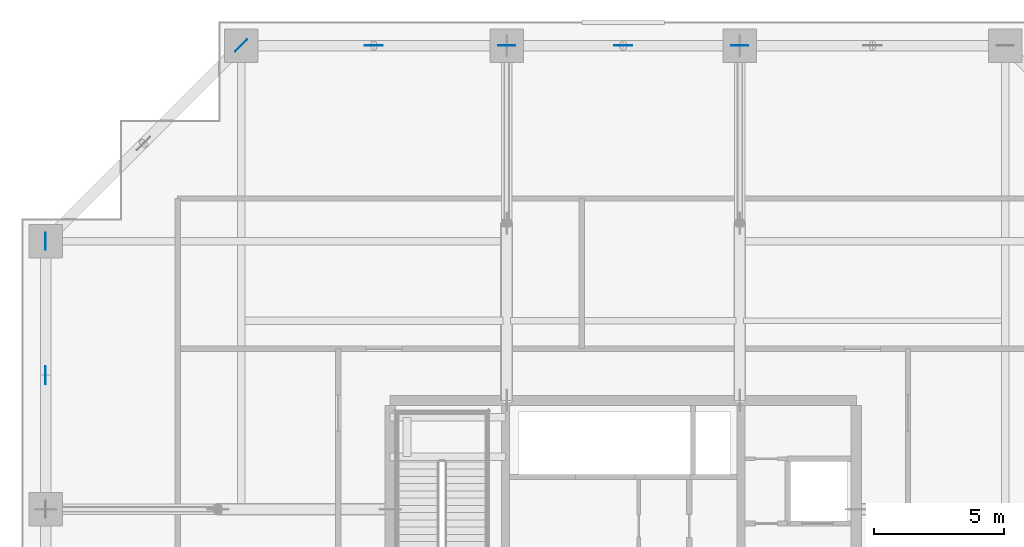
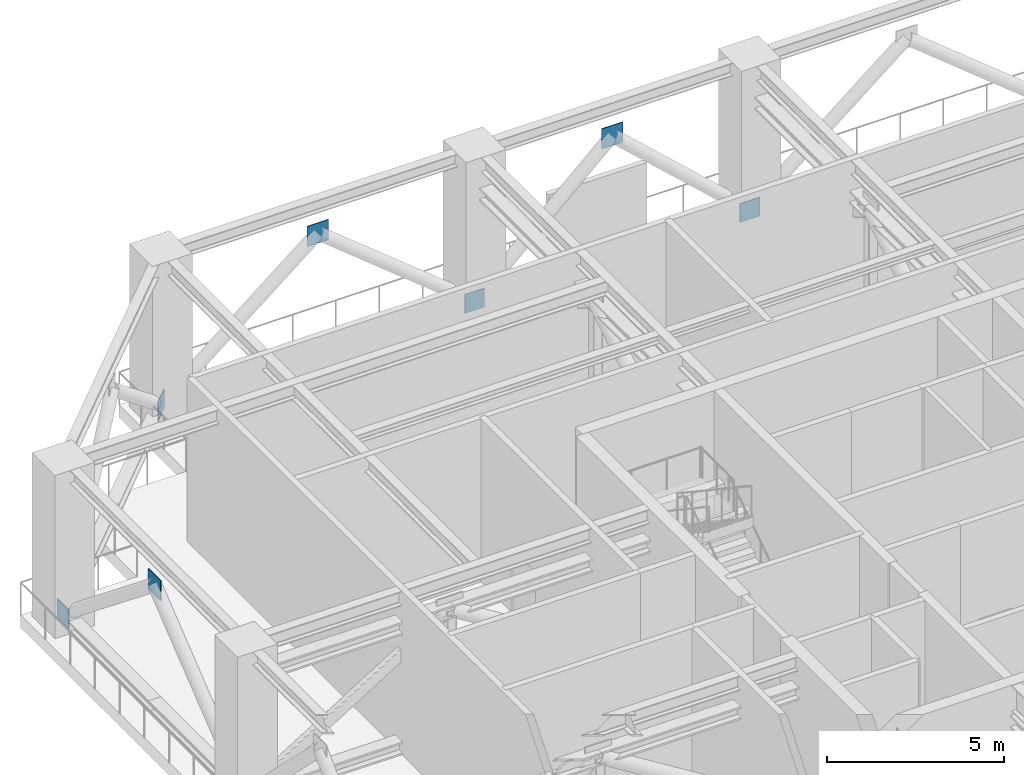
# One storey, part 13 of 22: 7 plates.
"""IFC4 building model written with IfcOpenShell, lengths in metres."""

from ifc_helpers import new_model, si_unit, direction, frame, origin, origin_2d, place, context, subcontext, project, spatial, rectangle, extrude, source, transform, mapped, material, layer, layer_set, type_object, element, save


model = new_model("IFC4")

# Units and contexts
model_context = context("Model", 3, precision=1e-05, world=origin(), true_north=direction((0.0, 1.0)))
body_context = subcontext(model_context, "Body", "Model", "MODEL_VIEW")
ifc_project = project(units=[si_unit("LENGTHUNIT", "METRE"), si_unit("AREAUNIT", "SQUARE_METRE"), si_unit("VOLUMEUNIT", "CUBIC_METRE"), si_unit("PLANEANGLEUNIT", "RADIAN"), si_unit("MASSUNIT", "GRAM", prefix="KILO")], contexts=[model_context])

# Site, building, storey
site_placement = place(None, origin())
site = spatial("IfcSite", under=ifc_project, at=site_placement, CompositionType="ELEMENT")
building_placement = place(site_placement, origin())
building = spatial("IfcBuilding", under=site, at=building_placement, Name="Serunith Strait Residences", CompositionType="ELEMENT")
storey_placement = place(building_placement, frame((0.0, 0.0, 198.89990234375)))
storey = spatial("IfcBuildingStorey", under=building, at=storey_placement, Name="L50", CompositionType="ELEMENT", Elevation=198.89990234375)

# Plates
ifc_material = material(Name="Steel S460M", Category="steel")
ifc_layer = layer(ifc_material, 0.02490234375, Name="Steel S460M")
ifc_layer_set = layer_set([ifc_layer], Name="Steel S460M")
plate_type = type_object("IfcPlateType", Name="PLT-CAP-25", PredefinedType="SHEET", material=ifc_layer_set)
shared_shape_1 = source(origin(), body_context, "Body", "SweptSolid", [
    extrude(rectangle(XDim=0.699951171875, YDim=0.02490234375, at=origin_2d()), origin(), (0.0, 0.0, 1.0), 0.699951171875),
])
for number, where, z_axis, x_axis, name in (
    (1, (32.39990234375, 47.300048828125, 4.0400390625), (0.0, 0.0, 1.0), (-1.0, 0.0, 0.0), "L50 Belt Truss Apex Gusset 10"),
    (2, (22.77490234375, 47.300048828125, 4.0400390625), (0.0, 0.0, 1.0), (-1.0, 0.0, 0.0), "L50 Belt Truss Apex Gusset 11"),
    (3, (10.10009765625, 34.574951171875, 4.0400390625), (0.0, 0.0, 1.0), (0.0, -1.0, 0.0), "L50 Belt Truss Apex Gusset 13"),
):
    element("IfcPlate", number, at=place(storey_placement, frame(where, z_axis=z_axis, x_axis=x_axis)), inside=storey, type_object=plate_type, Name=name, PredefinedType="SHEET", context=body_context, shape_type="MappedRepresentation", body=[
        mapped(shared_shape_1, transform((0.0, 0.0, 0.0), scale=1.0)),
    ])
shared_shape_2 = source(origin(), body_context, "Body", "SweptSolid", [
    extrude(rectangle(XDim=0.64990234375, YDim=0.02490234375, at=origin_2d()), origin(), (0.0, 0.0, 1.0), 0.64990234375),
])
for number, where, z_axis, x_axis, name in (
    (4, (36.89990234375, 47.300048828125, -0.074951171875), (0.0, 0.0, 1.0), (-1.0, 0.0, 0.0), "L50 Belt Truss Column Node Plate 10"),
    (5, (27.89990234375, 47.300048828125, -0.074951171875), (0.0, 0.0, 1.0), (-1.0, 0.0, 0.0), "L50 Belt Truss Column Node Plate 11"),
    (6, (17.64990234375, 47.300048828125, -0.074951171875), (0.0, 0.0, 1.0), (-0.707106781187, -0.707106781187, 0.0), "L50 Belt Truss Column Node Plate 12"),
    (7, (10.10009765625, 39.75, -0.074951171875), (0.0, 0.0, 1.0), (0.0, -1.0, 0.0), "L50 Belt Truss Column Node Plate 13"),
):
    element("IfcPlate", number, at=place(storey_placement, frame(where, z_axis=z_axis, x_axis=x_axis)), inside=storey, type_object=plate_type, Name=name, PredefinedType="SHEET", context=body_context, shape_type="MappedRepresentation", body=[
        mapped(shared_shape_2, transform((0.0, 0.0, 0.0), scale=1.0)),
    ])

save(model, "model.ifc")
